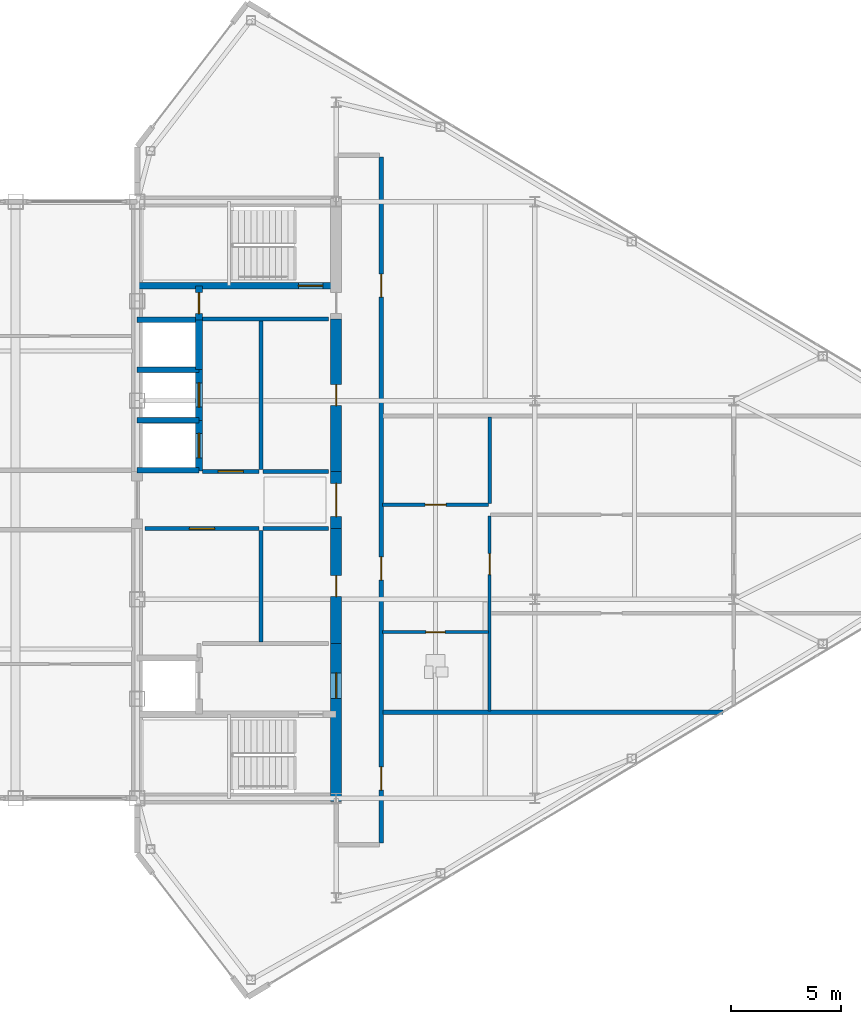
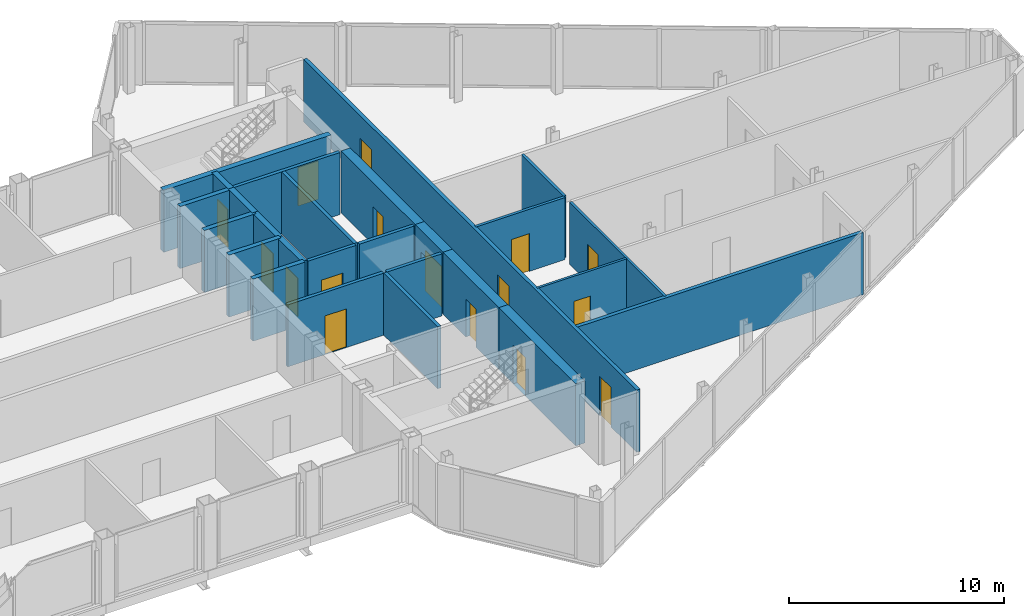
# One storey, part 24 of 28: 26 walls, 16 doors, 16 openings.
"""IFC4 building model written with IfcOpenShell, lengths in metres."""

from ifc_helpers import new_model, si_unit, direction, frame, frame_2d, origin, place, context, subcontext, project, spatial, rectangle, extrude, source, transform, mapped, material, layer, layer_set, type_object, type_shapes, element, fill, save


model = new_model("IFC4")

# Units and contexts
model_context = context("Model", 3, precision=1e-05, world=origin(), true_north=direction((0.0, 1.0)))
body_context = subcontext(model_context, "Body", "Model", "MODEL_VIEW")
ifc_project = project(units=[si_unit("LENGTHUNIT", "METRE"), si_unit("AREAUNIT", "SQUARE_METRE"), si_unit("VOLUMEUNIT", "CUBIC_METRE"), si_unit("PLANEANGLEUNIT", "RADIAN"), si_unit("MASSUNIT", "GRAM", prefix="KILO")], contexts=[model_context])

# Site, building, storey
site_placement = place(None, origin())
site = spatial("IfcSite", under=ifc_project, at=site_placement, CompositionType="ELEMENT")
building_placement = place(site_placement, origin())
building = spatial("IfcBuilding", under=site, at=building_placement, Name="Seokmaru Belvedere", CompositionType="ELEMENT")
storey_placement = place(building_placement, frame((0.0, 0.0, 261.89990234375)))
storey = spatial("IfcBuildingStorey", under=building, at=storey_placement, Name="L69", CompositionType="ELEMENT", Elevation=261.89990234375)

# Wall, opening, door
ifc_material_1 = material(Name="Fire-Rated Gypsum Shaftwall")
ifc_layer_1 = layer(ifc_material_1, 0.14990234375)
ifc_layer_set_1 = layer_set([ifc_layer_1], Name="Fire-Rated Gypsum Shaftwall")
wall_type_1 = type_object("IfcWallType", Name="Apartment Fire-Acoustic Room Partition 150", PredefinedType="PARTITIONING", material=ifc_layer_set_1)
wall_1_placement = place(storey_placement, frame((38.60009765625, -0.219970703125, 0.0), z_axis=(0.0, 0.0, 1.0), x_axis=(1.0, 0.0, 0.0)))
wall_1 = element("IfcWall", 1, at=wall_1_placement, inside=storey, type_object=wall_type_1, Name="L69 Interior Partition 012", PredefinedType="PARTITIONING", context=body_context, shape_type="SweptSolid", body=[
    extrude(rectangle(XDim=4.7998046875, YDim=0.14990234375, at=frame_2d((2.39990234375, 0.0))), origin(), (0.0, 0.0, 1.0), 3.530029296875),
])
opening_1_placement = place(wall_1_placement, frame((1.925048828125, 0.0, 0.0)))
opening_1 = element("IfcOpeningElement", 2, at=opening_1_placement, cuts=wall_1, Name="Opening D05", PredefinedType="OPENING", context=body_context, shape_type="SweptSolid", body=[
    extrude(rectangle(XDim=0.949951171875, YDim=2.14990234375, at=frame_2d((0.47509765625, 1.074951171875))), frame((0.0, 0.0849609375, 0.0), z_axis=(0.0, -1.0, 0.0), x_axis=(1.0, 0.0, 0.0)), (0.0, 0.0, 1.0), 0.169921875),
])
ifc_material_2 = material(Name="Engineered White Oak Timber", Category="wood")
door_type_1 = type_object("IfcDoorType", Name="Apartment Interior Fire-Rated Oak Door 950x2150", OperationType="NOTDEFINED", PredefinedType="DOOR", material=ifc_material_2)
shared_shape_1 = source(origin(), body_context, "Body", "SweptSolid", [
    extrude(rectangle(XDim=0.949951171875, YDim=2.14990234375, at=frame_2d((0.47509765625, 1.074951171875))), frame((0.0, 0.02490234375, 0.0), z_axis=(0.0, -1.0, 0.0), x_axis=(1.0, 0.0, 0.0)), (0.0, 0.0, 1.0), 0.050048828125),
])
type_shapes(door_type_1, [shared_shape_1])
door_1_placement = place(opening_1_placement, origin())
door_1 = element("IfcDoor", 3, at=door_1_placement, inside=storey, type_object=door_type_1, Name="L69 Interior Door 006", OperationType="SINGLE_SWING_RIGHT", OverallHeight=2.14990234375, OverallWidth=0.949951171875, PredefinedType="DOOR", context=body_context, shape_type="MappedRepresentation", body=[
    mapped(shared_shape_1, transform((0.0, 0.0, 0.0), scale=1.0)),
])
fill(opening_1, door_1)

# Walls
wall_2_placement = place(storey_placement, frame((43.449951171875, -0.16796875, 0.0), z_axis=(0.0, 0.0, 1.0), x_axis=(0.0, 1.0, 0.0)))
element("IfcWall", 4, at=wall_2_placement, inside=storey, type_object=wall_type_1, Name="L69 Interior Partition 043", PredefinedType="PARTITIONING", context=body_context, shape_type="SweptSolid", body=[
    extrude(rectangle(XDim=3.91796875, YDim=0.14990234375, at=frame_2d((1.958984375, 0.0))), origin(), (0.0, 0.0, 1.0), 3.530029296875),
])
ifc_layer_2 = layer(ifc_material_1, 0.179931640625)
ifc_layer_set_2 = layer_set([ifc_layer_2], Name="Fire-Rated Gypsum Shaftwall")
wall_type_2 = type_object("IfcWallType", Name="Core Service Fire Partition 180", PredefinedType="PARTITIONING", material=ifc_layer_set_2)
wall_3_placement = place(storey_placement, frame((30.449951171875, 8.199951171875, 0.0), z_axis=(0.0, 0.0, 1.0), x_axis=(1.0, 0.0, 0.0)))
element("IfcWall", 5, at=wall_3_placement, inside=storey, type_object=wall_type_2, Name="L69 East Smokeproof Vestibule Partition", PredefinedType="PARTITIONING", context=body_context, shape_type="SweptSolid", body=[
    extrude(rectangle(XDim=5.699951171875, YDim=0.179931640625, at=frame_2d((2.85009765625, 0.0))), origin(), (0.0, 0.0, 1.0), 3.530029296875),
])
wall_4_placement = place(storey_placement, frame((33.10009765625, -6.419921875, 0.0), z_axis=(0.0, 0.0, 1.0), x_axis=(0.0, 1.0, 0.0)))
element("IfcWall", 6, at=wall_4_placement, inside=storey, type_object=wall_type_2, Name="L69 East South Core Service Back Wall", PredefinedType="PARTITIONING", context=body_context, shape_type="SweptSolid", body=[
    extrude(rectangle(XDim=5.0400390625, YDim=0.179931640625, at=frame_2d((2.52001953125, 0.0))), origin(), (0.0, 0.0, 1.0), 3.530029296875),
])
wall_5_placement = place(storey_placement, frame((33.10009765625, 1.3798828125, 0.0), z_axis=(0.0, 0.0, 1.0), x_axis=(0.0, 1.0, 0.0)))
element("IfcWall", 7, at=wall_5_placement, inside=storey, type_object=wall_type_2, Name="L69 East North Core Service Back Wall", PredefinedType="PARTITIONING", context=body_context, shape_type="SweptSolid", body=[
    extrude(rectangle(XDim=6.740234375, YDim=0.179931640625, at=frame_2d((3.3701171875, 0.0))), origin(), (0.0, 0.0, 1.0), 3.530029296875),
])

# Wall, opening, door
wall_6_placement = place(storey_placement, frame((27.85009765625, -1.300048828125, 0.0), z_axis=(0.0, 0.0, 1.0), x_axis=(1.0, 0.0, 0.0)))
wall_6 = element("IfcWall", 8, at=wall_6_placement, inside=storey, type_object=wall_type_2, Name="L69 East South Lift Lobby Foyer Wall", PredefinedType="PARTITIONING", context=body_context, shape_type="SweptSolid", body=[
    extrude(rectangle(XDim=5.169921875, YDim=0.179931640625, at=frame_2d((2.5849609375, 0.0))), origin(), (0.0, 0.0, 1.0), 3.530029296875),
])
opening_2_placement = place(wall_6_placement, frame((2.010009765625, 0.0, 0.0)))
opening_2 = element("IfcOpeningElement", 9, at=opening_2_placement, cuts=wall_6, Name="Opening D02", PredefinedType="OPENING", context=body_context, shape_type="SweptSolid", body=[
    extrude(rectangle(XDim=1.14990234375, YDim=2.199951171875, at=frame_2d((0.574951171875, 1.10009765625))), frame((0.0, 0.10009765625, 0.0), z_axis=(0.0, -1.0, 0.0), x_axis=(1.0, 0.0, 0.0)), (0.0, 0.0, 1.0), 0.199951171875),
])
ifc_material_3 = material(Name="Fire-Rated Steel Leaf", Category="steel")
door_type_2 = type_object("IfcDoorType", Name="Lobby and Vestibule Fire Door 1150x2200", OperationType="NOTDEFINED", PredefinedType="DOOR", material=ifc_material_3)
shared_shape_2 = source(origin(), body_context, "Body", "SweptSolid", [
    extrude(rectangle(XDim=1.14990234375, YDim=2.199951171875, at=frame_2d((0.574951171875, 1.10009765625))), frame((0.0, 0.02490234375, 0.0), z_axis=(0.0, -1.0, 0.0), x_axis=(1.0, 0.0, 0.0)), (0.0, 0.0, 1.0), 0.050048828125),
])
type_shapes(door_type_2, [shared_shape_2])
door_2_placement = place(opening_2_placement, origin())
door_2 = element("IfcDoor", 10, at=door_2_placement, inside=storey, type_object=door_type_2, Name="L69 East South Core Foyer Door", OperationType="SINGLE_SWING_RIGHT", OverallHeight=2.199951171875, OverallWidth=1.14990234375, PredefinedType="DOOR", context=body_context, shape_type="MappedRepresentation", body=[
    mapped(shared_shape_2, transform((0.0, 0.0, 0.0), scale=1.0)),
])
fill(opening_2, door_2)

wall_7_placement = place(storey_placement, frame((30.449951171875, 1.300048828125, 0.0), z_axis=(0.0, 0.0, 1.0), x_axis=(1.0, 0.0, 0.0)))
wall_7 = element("IfcWall", 11, at=wall_7_placement, inside=storey, type_object=wall_type_2, Name="L69 East North Lift Lobby Foyer Wall", PredefinedType="PARTITIONING", context=body_context, shape_type="SweptSolid", body=[
    extrude(rectangle(XDim=2.570068359375, YDim=0.179931640625, at=frame_2d((1.28515625, 0.0))), origin(), (0.0, 0.0, 1.0), 3.530029296875),
])
opening_3_placement = place(wall_7_placement, frame((0.7099609375, 0.0, 0.0)))
opening_3 = element("IfcOpeningElement", 12, at=opening_3_placement, cuts=wall_7, Name="Opening D02", PredefinedType="OPENING", context=body_context, shape_type="SweptSolid", body=[
    extrude(rectangle(XDim=1.14990234375, YDim=2.199951171875, at=frame_2d((0.574951171875, 1.10009765625))), frame((0.0, 0.10009765625, 0.0), z_axis=(0.0, -1.0, 0.0), x_axis=(1.0, 0.0, 0.0)), (0.0, 0.0, 1.0), 0.199951171875),
])
door_3_placement = place(opening_3_placement, origin())
door_3 = element("IfcDoor", 13, at=door_3_placement, inside=storey, type_object=door_type_2, Name="L69 East North Lift Lobby Door", OperationType="SINGLE_SWING_LEFT", OverallHeight=2.199951171875, OverallWidth=1.14990234375, PredefinedType="DOOR", context=body_context, shape_type="MappedRepresentation", body=[
    mapped(shared_shape_2, transform((0.0, 0.0, 0.0), scale=1.0)),
])
fill(opening_3, door_3)

# Walls
for number, where, z_axis, x_axis, name in (
    (14, (33.199951171875, -1.300048828125, 0.0), (0.0, 0.0, 1.0), (1.0, 0.0, 0.0), "L69 East Foyer Side Wall S"),
    (15, (33.199951171875, 1.300048828125, 0.0), (0.0, 0.0, 1.0), (1.0, 0.0, 0.0), "L69 East Foyer Side Wall N"),
):
    element("IfcWall", number, at=place(storey_placement, frame(where, z_axis=z_axis, x_axis=x_axis)), inside=storey, type_object=wall_type_2, Name=name, PredefinedType="PARTITIONING", context=body_context, shape_type="SweptSolid", body=[
        extrude(rectangle(XDim=2.949951171875, YDim=0.179931640625, at=frame_2d((1.47509765625, 0.0))), origin(), (0.0, 0.0, 1.0), 3.530029296875),
    ])
ifc_material_4 = material(Name="Concrete C50 (50 MPa)", Category="concrete")
ifc_layer_3 = layer(ifc_material_4, 0.25)
ifc_layer_set_3 = layer_set([ifc_layer_3], Name="Concrete C50 (50 MPa)")
wall_type_3 = type_object("IfcWallType", Name="Hoistway Transverse Concrete Divider Wall 250", PredefinedType="SHEAR", material=ifc_layer_set_3)
for number, where, z_axis, x_axis, name in (
    (16, (27.5, 1.35009765625, 0.0), (0.0, 0.0, 1.0), (1.0, 0.0, 0.0), "L69 East Hoistway Divider Core Wall 2"),
    (17, (27.5, 3.60009765625, 0.0), (0.0, 0.0, 1.0), (1.0, 0.0, 0.0), "L69 East Hoistway Divider Core Wall 3"),
    (18, (27.5, 5.89990234375, 0.0), (0.0, 0.0, 1.0), (1.0, 0.0, 0.0), "L69 East Hoistway Divider Core Wall 4"),
    (19, (27.5, 8.14990234375, 0.0), (0.0, 0.0, 1.0), (1.0, 0.0, 0.0), "L69 East Hoistway Divider Core Wall 5"),
):
    element("IfcWall", number, at=place(storey_placement, frame(where, z_axis=z_axis, x_axis=x_axis)), inside=storey, type_object=wall_type_3, Name=name, PredefinedType="SHEAR", context=body_context, shape_type="SweptSolid", body=[
        extrude(rectangle(XDim=2.800048828125, YDim=0.25, at=frame_2d((1.39990234375, 0.0))), origin(), (0.0, 0.0, 1.0), 3.530029296875),
    ])
ifc_layer_4 = layer(ifc_material_1, 0.199951171875)
ifc_layer_set_4 = layer_set([ifc_layer_4], Name="Fire-Rated Gypsum Shaftwall")
wall_type_4 = type_object("IfcWallType", Name="Inter-Tenancy Fire Compartment Partition 200", PredefinedType="PARTITIONING", material=ifc_layer_set_4)
wall_8_placement = place(storey_placement, frame((38.6298828125, -9.60009765625, 0.0), z_axis=(0.0, 0.0, 1.0), x_axis=(1.0, 0.0, 0.0)))
element("IfcWall", 20, at=wall_8_placement, inside=storey, type_object=wall_type_4, Name="L69 Interior Partition 003", PredefinedType="PARTITIONING", context=body_context, shape_type="SweptSolid", body=[
    extrude(rectangle(XDim=15.380126953125, YDim=0.199951171875, at=frame_2d((7.68994140625, 0.0))), origin(), (0.0, 0.0, 1.0), 3.530029296875),
])

# Wall, openings, doors
wall_9_placement = place(storey_placement, frame((38.550048828125, -15.514892578125, 0.0), z_axis=(0.0, 0.0, 1.0), x_axis=(0.0, 1.0, 0.0)))
wall_9 = element("IfcWall", 21, at=wall_9_placement, inside=storey, type_object=wall_type_4, Name="L69 Interior Partition 041", PredefinedType="PARTITIONING", context=body_context, shape_type="SweptSolid", body=[
    extrude(rectangle(XDim=31.02978515625, YDim=0.199951171875, at=frame_2d((15.514892578125, 0.0))), origin(), (0.0, 0.0, 1.0), 3.530029296875),
])
opening_4_placement = place(wall_9_placement, frame((2.389892578125, 0.0, 0.0)))
opening_4 = element("IfcOpeningElement", 22, at=opening_4_placement, cuts=wall_9, Name="Opening D03", PredefinedType="OPENING", context=body_context, shape_type="SweptSolid", body=[
    extrude(rectangle(XDim=1.050048828125, YDim=2.25, at=frame_2d((0.52490234375, 1.125))), frame((0.0, 0.10986328125, 0.0), z_axis=(0.0, -1.0, 0.0), x_axis=(1.0, 0.0, 0.0)), (0.0, 0.0, 1.0), 0.219970703125),
])
opening_5_placement = place(wall_9_placement, frame((11.888916015625, 0.0, 0.0)))
opening_5 = element("IfcOpeningElement", 23, at=opening_5_placement, cuts=wall_9, Name="Opening D03", PredefinedType="OPENING", context=body_context, shape_type="SweptSolid", body=[
    extrude(rectangle(XDim=1.050048828125, YDim=2.25, at=frame_2d((0.52490234375, 1.125))), frame((0.0, 0.10986328125, 0.0), z_axis=(0.0, -1.0, 0.0), x_axis=(1.0, 0.0, 0.0)), (0.0, 0.0, 1.0), 0.219970703125),
])
opening_6_placement = place(wall_9_placement, frame((24.68994140625, 0.0, 0.0)))
opening_6 = element("IfcOpeningElement", 24, at=opening_6_placement, cuts=wall_9, Name="Opening D03", PredefinedType="OPENING", context=body_context, shape_type="SweptSolid", body=[
    extrude(rectangle(XDim=1.050048828125, YDim=2.25, at=frame_2d((0.52490234375, 1.125))), frame((0.0, 0.10986328125, 0.0), z_axis=(0.0, -1.0, 0.0), x_axis=(1.0, 0.0, 0.0)), (0.0, 0.0, 1.0), 0.219970703125),
])
door_type_3 = type_object("IfcDoorType", Name="Apartment Entrance Fire Door 1050x2250", OperationType="NOTDEFINED", PredefinedType="DOOR", material=ifc_material_3)
shared_shape_3 = source(origin(), body_context, "Body", "SweptSolid", [
    extrude(rectangle(XDim=1.050048828125, YDim=2.25, at=frame_2d((0.52490234375, 1.125))), frame((0.0, 0.02490234375, 0.0), z_axis=(0.0, -1.0, 0.0), x_axis=(1.0, 0.0, 0.0)), (0.0, 0.0, 1.0), 0.050048828125),
])
type_shapes(door_type_3, [shared_shape_3])
door_4_placement = place(opening_4_placement, origin())
door_4 = element("IfcDoor", 25, at=door_4_placement, inside=storey, type_object=door_type_3, Name="L69 Interior Door 003", OperationType="SINGLE_SWING_LEFT", OverallHeight=2.25, OverallWidth=1.050048828125, PredefinedType="DOOR", context=body_context, shape_type="MappedRepresentation", body=[
    mapped(shared_shape_3, transform((0.0, 0.0, 0.0), scale=1.0)),
])
fill(opening_4, door_4)
door_5_placement = place(opening_5_placement, origin())
door_5 = element("IfcDoor", 26, at=door_5_placement, inside=storey, type_object=door_type_3, Name="L69 Interior Door 004", OperationType="SINGLE_SWING_RIGHT", OverallHeight=2.25, OverallWidth=1.050048828125, PredefinedType="DOOR", context=body_context, shape_type="MappedRepresentation", body=[
    mapped(shared_shape_3, transform((0.0, 0.0, 0.0), scale=1.0)),
])
fill(opening_5, door_5)
door_6_placement = place(opening_6_placement, origin())
door_6 = element("IfcDoor", 27, at=door_6_placement, inside=storey, type_object=door_type_3, Name="L69 Interior Door 013", OperationType="SINGLE_SWING_LEFT", OverallHeight=2.25, OverallWidth=1.050048828125, PredefinedType="DOOR", context=body_context, shape_type="MappedRepresentation", body=[
    mapped(shared_shape_3, transform((0.0, 0.0, 0.0), scale=1.0)),
])
fill(opening_6, door_6)

# Wall, opening, door
ifc_layer_5 = layer(ifc_material_4, 0.300048828125)
ifc_layer_set_5 = layer_set([ifc_layer_5], Name="Concrete C50 (50 MPa)")
wall_type_5 = type_object("IfcWallType", Name="Internal Core Stair and Hoistway Wall 300", PredefinedType="SHEAR", material=ifc_layer_set_5)
wall_10_placement = place(storey_placement, frame((27.5, 9.699951171875, 0.0), z_axis=(0.0, 0.0, 1.0), x_axis=(1.0, 0.0, 0.0)))
wall_10 = element("IfcWall", 28, at=wall_10_placement, inside=storey, type_object=wall_type_5, Name="L69 East Stair ST-2 Enclosure Wall", PredefinedType="SHEAR", context=body_context, shape_type="SweptSolid", body=[
    extrude(rectangle(XDim=9.0, YDim=0.300048828125, at=frame_2d((4.5, 0.0))), origin(), (0.0, 0.0, 1.0), 3.530029296875),
])
opening_7_placement = place(wall_10_placement, frame((7.300048828125, 0.0, 0.0)))
opening_7 = element("IfcOpeningElement", 29, at=opening_7_placement, cuts=wall_10, Name="Opening D01", PredefinedType="OPENING", context=body_context, shape_type="SweptSolid", body=[
    extrude(rectangle(XDim=1.10009765625, YDim=2.199951171875, at=frame_2d((0.550048828125, 1.10009765625))), frame((0.0, 0.16015625, 0.0), z_axis=(0.0, -1.0, 0.0), x_axis=(1.0, 0.0, 0.0)), (0.0, 0.0, 1.0), 0.320068359375),
])
door_type_4 = type_object("IfcDoorType", Name="Special Escape Stair Smokeproof Fire Door 1100x2200", OperationType="NOTDEFINED", PredefinedType="DOOR", material=ifc_material_3)
shared_shape_4 = source(origin(), body_context, "Body", "SweptSolid", [
    extrude(rectangle(XDim=1.10009765625, YDim=2.199951171875, at=frame_2d((0.550048828125, 1.10009765625))), frame((0.0, 0.02490234375, 0.0), z_axis=(0.0, -1.0, 0.0), x_axis=(1.0, 0.0, 0.0)), (0.0, 0.0, 1.0), 0.050048828125),
])
type_shapes(door_type_4, [shared_shape_4])
door_7_placement = place(opening_7_placement, origin())
door_7 = element("IfcDoor", 30, at=door_7_placement, inside=storey, type_object=door_type_4, Name="L69 East Special Escape Stair ST-2 Door", OperationType="SINGLE_SWING_LEFT", OverallHeight=2.199951171875, OverallWidth=1.10009765625, PredefinedType="DOOR", context=body_context, shape_type="MappedRepresentation", body=[
    mapped(shared_shape_4, transform((0.0, 0.0, 0.0), scale=1.0)),
])
fill(opening_7, door_7)

wall_11_placement = place(storey_placement, frame((30.300048828125, 1.320068359375, 0.0), z_axis=(0.0, 0.0, 1.0), x_axis=(0.0, 1.0, 0.0)))
wall_11 = element("IfcWall", 31, at=wall_11_placement, inside=storey, type_object=wall_type_5, Name="L69 East North Hoistway Wall PH1", PredefinedType="SHEAR", context=body_context, shape_type="SweptSolid", body=[
    extrude(rectangle(XDim=2.280029296875, YDim=0.300048828125, at=frame_2d((1.14013671875, 0.0))), origin(), (0.0, 0.0, 1.0), 3.530029296875),
])
opening_8_placement = place(wall_11_placement, frame((0.590087890625, 0.0, 0.0)))
opening_8 = element("IfcOpeningElement", 32, at=opening_8_placement, cuts=wall_11, Name="Opening LD1", PredefinedType="OPENING", context=body_context, shape_type="SweptSolid", body=[
    extrude(rectangle(XDim=1.10009765625, YDim=2.199951171875, at=frame_2d((0.550048828125, 1.10009765625))), frame((0.0, 0.16015625, 0.0), z_axis=(0.0, -1.0, 0.0), x_axis=(1.0, 0.0, 0.0)), (0.0, 0.0, 1.0), 0.320068359375),
])
ifc_material_5 = material(Name="Stainless Steel 316", Category="steel")
door_type_5 = type_object("IfcDoorType", Name="Passenger Lift Sliding Landing Door 1100x2200", OperationType="DOUBLE_DOOR_SLIDING", PredefinedType="DOOR", material=ifc_material_5)
shared_shape_5 = source(origin(), body_context, "Body", "SweptSolid", [
    extrude(rectangle(XDim=1.10009765625, YDim=2.199951171875, at=frame_2d((0.550048828125, 1.10009765625))), frame((0.0, 0.02490234375, 0.0), z_axis=(0.0, -1.0, 0.0), x_axis=(1.0, 0.0, 0.0)), (0.0, 0.0, 1.0), 0.050048828125),
])
type_shapes(door_type_5, [shared_shape_5])
door_8_placement = place(opening_8_placement, origin())
door_8 = element("IfcDoor", 33, at=door_8_placement, inside=storey, type_object=door_type_5, Name="L69 East High-Rise Lift PH-1 Landing Door", OperationType="DOUBLE_DOOR_SLIDING", OverallHeight=2.199951171875, OverallWidth=1.10009765625, PredefinedType="DOOR", context=body_context, shape_type="MappedRepresentation", body=[
    mapped(shared_shape_5, transform((0.0, 0.0, 0.0), scale=1.0)),
])
fill(opening_8, door_8)

wall_12_placement = place(storey_placement, frame((30.300048828125, 3.60009765625, 0.0), z_axis=(0.0, 0.0, 1.0), x_axis=(0.0, 1.0, 0.0)))
wall_12 = element("IfcWall", 34, at=wall_12_placement, inside=storey, type_object=wall_type_5, Name="L69 East North Hoistway Wall PH2", PredefinedType="SHEAR", context=body_context, shape_type="SweptSolid", body=[
    extrude(rectangle(XDim=2.2998046875, YDim=0.300048828125, at=frame_2d((1.14990234375, 0.0))), origin(), (0.0, 0.0, 1.0), 3.530029296875),
])
opening_9_placement = place(wall_12_placement, frame((0.60009765625, 0.0, 0.0)))
opening_9 = element("IfcOpeningElement", 35, at=opening_9_placement, cuts=wall_12, Name="Opening LD1", PredefinedType="OPENING", context=body_context, shape_type="SweptSolid", body=[
    extrude(rectangle(XDim=1.10009765625, YDim=2.199951171875, at=frame_2d((0.550048828125, 1.10009765625))), frame((0.0, 0.16015625, 0.0), z_axis=(0.0, -1.0, 0.0), x_axis=(1.0, 0.0, 0.0)), (0.0, 0.0, 1.0), 0.320068359375),
])
door_9_placement = place(opening_9_placement, origin())
door_9 = element("IfcDoor", 36, at=door_9_placement, inside=storey, type_object=door_type_5, Name="L69 East High-Rise Lift PH-2 Landing Door", OperationType="DOUBLE_DOOR_SLIDING", OverallHeight=2.199951171875, OverallWidth=1.10009765625, PredefinedType="DOOR", context=body_context, shape_type="MappedRepresentation", body=[
    mapped(shared_shape_5, transform((0.0, 0.0, 0.0), scale=1.0)),
])
fill(opening_9, door_9)

# Wall
wall_13_placement = place(storey_placement, frame((30.300048828125, 5.89990234375, 0.0), z_axis=(0.0, 0.0, 1.0), x_axis=(0.0, 1.0, 0.0)))
element("IfcWall", 37, at=wall_13_placement, inside=storey, type_object=wall_type_5, Name="L69 East North Hoistway Wall OBS", PredefinedType="SHEAR", context=body_context, shape_type="SweptSolid", body=[
    extrude(rectangle(XDim=2.25, YDim=0.300048828125, at=frame_2d((1.125, 0.0))), origin(), (0.0, 0.0, 1.0), 3.530029296875),
])

# Wall, opening, door
wall_14_placement = place(storey_placement, frame((30.300048828125, 8.14990234375, 0.0), z_axis=(0.0, 0.0, 1.0), x_axis=(0.0, 1.0, 0.0)))
wall_14 = element("IfcWall", 38, at=wall_14_placement, inside=storey, type_object=wall_type_5, Name="L69 East Electrical Riser Front Wall", PredefinedType="SHEAR", context=body_context, shape_type="SweptSolid", body=[
    extrude(rectangle(XDim=1.530029296875, YDim=0.300048828125, at=frame_2d((0.76513671875, 0.0))), origin(), (0.0, 0.0, 1.0), 3.530029296875),
])
opening_10_placement = place(wall_14_placement, frame((0.284912109375, 0.0, 0.0)))
opening_10 = element("IfcOpeningElement", 39, at=opening_10_placement, cuts=wall_14, Name="Opening D04", PredefinedType="OPENING", context=body_context, shape_type="SweptSolid", body=[
    extrude(rectangle(XDim=0.949951171875, YDim=2.14990234375, at=frame_2d((0.47509765625, 1.074951171875))), frame((0.0, 0.16015625, 0.0), z_axis=(0.0, -1.0, 0.0), x_axis=(1.0, 0.0, 0.0)), (0.0, 0.0, 1.0), 0.320068359375),
])
door_type_6 = type_object("IfcDoorType", Name="Core Service Room Fire Door 950x2150", OperationType="NOTDEFINED", PredefinedType="DOOR", material=ifc_material_3)
shared_shape_6 = source(origin(), body_context, "Body", "SweptSolid", [
    extrude(rectangle(XDim=0.949951171875, YDim=2.14990234375, at=frame_2d((0.47509765625, 1.074951171875))), frame((0.0, 0.02490234375, 0.0), z_axis=(0.0, -1.0, 0.0), x_axis=(1.0, 0.0, 0.0)), (0.0, 0.0, 1.0), 0.050048828125),
])
type_shapes(door_type_6, [shared_shape_6])
door_10_placement = place(opening_10_placement, origin())
door_10 = element("IfcDoor", 40, at=door_10_placement, inside=storey, type_object=door_type_6, Name="L69 East Electrical Riser Access Door", OperationType="SINGLE_SWING_RIGHT", OverallHeight=2.14990234375, OverallWidth=0.949951171875, PredefinedType="DOOR", context=body_context, shape_type="MappedRepresentation", body=[
    mapped(shared_shape_6, transform((0.0, 0.0, 0.0), scale=1.0)),
])
fill(opening_10, door_10)

ifc_layer_6 = layer(ifc_material_1, 0.1298828125)
ifc_layer_set_6 = layer_set([ifc_layer_6], Name="Fire-Rated Gypsum Shaftwall")
wall_type_6 = type_object("IfcWallType", Name="Moisture-Resistant Fire-Rated Bathroom Partition 130", PredefinedType="PARTITIONING", material=ifc_layer_set_6)
wall_15_placement = place(storey_placement, frame((38.60009765625, -5.97998046875, 0.0), z_axis=(0.0, 0.0, 1.0), x_axis=(1.0, 0.0, 0.0)))
wall_15 = element("IfcWall", 41, at=wall_15_placement, inside=storey, type_object=wall_type_6, Name="L69 Interior Partition 007", PredefinedType="PARTITIONING", context=body_context, shape_type="SweptSolid", body=[
    extrude(rectangle(XDim=4.7998046875, YDim=0.1298828125, at=frame_2d((2.39990234375, 0.0))), origin(), (0.0, 0.0, 1.0), 3.530029296875),
])
opening_11_placement = place(wall_15_placement, frame((1.9599609375, 0.0, 0.0)))
opening_11 = element("IfcOpeningElement", 42, at=opening_11_placement, cuts=wall_15, Name="Opening D06", PredefinedType="OPENING", context=body_context, shape_type="SweptSolid", body=[
    extrude(rectangle(XDim=0.8798828125, YDim=2.10009765625, at=frame_2d((0.43994140625, 1.050048828125))), frame((0.0, 0.074951171875, 0.0), z_axis=(0.0, -1.0, 0.0), x_axis=(1.0, 0.0, 0.0)), (0.0, 0.0, 1.0), 0.14990234375),
])
door_type_7 = type_object("IfcDoorType", Name="Bathroom and Restroom Fire-Rated Door 880x2100", OperationType="NOTDEFINED", PredefinedType="DOOR", material=ifc_material_2)
shared_shape_7 = source(origin(), body_context, "Body", "SweptSolid", [
    extrude(rectangle(XDim=0.8798828125, YDim=2.10009765625, at=frame_2d((0.43994140625, 1.050048828125))), frame((0.0, 0.02490234375, 0.0), z_axis=(0.0, -1.0, 0.0), x_axis=(1.0, 0.0, 0.0)), (0.0, 0.0, 1.0), 0.050048828125),
])
type_shapes(door_type_7, [shared_shape_7])
door_11_placement = place(opening_11_placement, origin())
door_11 = element("IfcDoor", 43, at=door_11_placement, inside=storey, type_object=door_type_7, Name="L69 Interior Door 005", OperationType="SINGLE_SWING_RIGHT", OverallHeight=2.10009765625, OverallWidth=0.8798828125, PredefinedType="DOOR", context=body_context, shape_type="MappedRepresentation", body=[
    mapped(shared_shape_7, transform((0.0, 0.0, 0.0), scale=1.0)),
])
fill(opening_11, door_11)

wall_16_placement = place(storey_placement, frame((43.449951171875, -9.550048828125, 0.0), z_axis=(0.0, 0.0, 1.0), x_axis=(0.0, 1.0, 0.0)))
wall_16 = element("IfcWall", 44, at=wall_16_placement, inside=storey, type_object=wall_type_6, Name="L69 Interior Partition 042", PredefinedType="PARTITIONING", context=body_context, shape_type="SweptSolid", body=[
    extrude(rectangle(XDim=8.8330078125, YDim=0.1298828125, at=frame_2d((4.41650390625, 0.0))), origin(), (0.0, 0.0, 1.0), 3.530029296875),
])
opening_12_placement = place(wall_16_placement, frame((6.175048828125, 0.0, 0.0)))
opening_12 = element("IfcOpeningElement", 45, at=opening_12_placement, cuts=wall_16, Name="Opening D05", PredefinedType="OPENING", context=body_context, shape_type="SweptSolid", body=[
    extrude(rectangle(XDim=0.949951171875, YDim=2.14990234375, at=frame_2d((0.47509765625, 1.074951171875))), frame((0.0, 0.074951171875, 0.0), z_axis=(0.0, -1.0, 0.0), x_axis=(1.0, 0.0, 0.0)), (0.0, 0.0, 1.0), 0.14990234375),
])
door_12_placement = place(opening_12_placement, origin())
door_12 = element("IfcDoor", 46, at=door_12_placement, inside=storey, type_object=door_type_1, Name="L69 Interior Door 007", OperationType="SINGLE_SWING_LEFT", OverallHeight=2.14990234375, OverallWidth=0.949951171875, PredefinedType="DOOR", context=body_context, shape_type="MappedRepresentation", body=[
    mapped(shared_shape_1, transform((0.0, 0.0, 0.0), scale=1.0)),
])
fill(opening_12, door_12)

ifc_layer_7 = layer(ifc_material_4, 0.5)
ifc_layer_set_7 = layer_set([ifc_layer_7], Name="Concrete C50 (50 MPa)")
wall_type_7 = type_object("IfcWallType", Name="Upper Tower Reinforced Concrete Core Wall 500", PredefinedType="SHEAR", material=ifc_layer_set_7)
wall_17_placement = place(storey_placement, frame((36.5, -13.64990234375, 0.0), z_axis=(0.0, 0.0, 1.0), x_axis=(0.0, 1.0, 0.0)))
wall_17 = element("IfcWall", 47, at=wall_17_placement, inside=storey, type_object=wall_type_7, Name="L69 East West Core Wall FF", PredefinedType="SHEAR", context=body_context, shape_type="SweptSolid", body=[
    extrude(rectangle(XDim=7.14990234375, YDim=0.5, at=frame_2d((3.574951171875, 0.0))), origin(), (0.0, 0.0, 1.0), 3.530029296875),
])
opening_13_placement = place(wall_17_placement, frame((4.675048828125, 0.0, 0.0)))
opening_13 = element("IfcOpeningElement", 48, at=opening_13_placement, cuts=wall_17, Name="Opening D02", PredefinedType="OPENING", context=body_context, shape_type="SweptSolid", body=[
    extrude(rectangle(XDim=1.14990234375, YDim=2.199951171875, at=frame_2d((0.574951171875, 1.10009765625))), frame((0.0, 0.260009765625, 0.0), z_axis=(0.0, -1.0, 0.0), x_axis=(1.0, 0.0, 0.0)), (0.0, 0.0, 1.0), 0.52001953125),
])
door_13_placement = place(opening_13_placement, origin())
door_13 = element("IfcDoor", 49, at=door_13_placement, inside=storey, type_object=door_type_2, Name="L69 East Firefighting Lobby Door", OperationType="SINGLE_SWING_RIGHT", OverallHeight=2.199951171875, OverallWidth=1.14990234375, PredefinedType="DOOR", context=body_context, shape_type="MappedRepresentation", body=[
    mapped(shared_shape_2, transform((0.0, 0.0, 0.0), scale=1.0)),
])
fill(opening_13, door_13)

wall_18_placement = place(storey_placement, frame((36.5, -1.300048828125, 0.0), z_axis=(0.0, 0.0, 1.0), x_axis=(0.0, 1.0, 0.0)))
wall_18 = element("IfcWall", 50, at=wall_18_placement, inside=storey, type_object=wall_type_7, Name="L69 East West Core Wall FOY", PredefinedType="SHEAR", context=body_context, shape_type="SweptSolid", body=[
    extrude(rectangle(XDim=2.60009765625, YDim=0.5, at=frame_2d((1.300048828125, 0.0))), origin(), (0.0, 0.0, 1.0), 3.530029296875),
])
opening_14_placement = place(wall_18_placement, frame((0.550048828125, 0.0, 0.0)))
opening_14 = element("IfcOpeningElement", 51, at=opening_14_placement, cuts=wall_18, Name="Opening D08", PredefinedType="OPENING", context=body_context, shape_type="SweptSolid", body=[
    extrude(rectangle(XDim=1.5, YDim=2.300048828125, at=frame_2d((0.75, 1.14990234375))), frame((0.0, 0.260009765625, 0.0), z_axis=(0.0, -1.0, 0.0), x_axis=(1.0, 0.0, 0.0)), (0.0, 0.0, 1.0), 0.52001953125),
])
door_type_8 = type_object("IfcDoorType", Name="Cross-Corridor Compartment Double Fire Door 1500x2300", OperationType="DOUBLE_SWING_LEFT", PredefinedType="DOOR", material=ifc_material_3)
shared_shape_8 = source(origin(), body_context, "Body", "SweptSolid", [
    extrude(rectangle(XDim=1.5, YDim=2.300048828125, at=frame_2d((0.75, 1.14990234375))), frame((0.0, 0.02490234375, 0.0), z_axis=(0.0, -1.0, 0.0), x_axis=(1.0, 0.0, 0.0)), (0.0, 0.0, 1.0), 0.050048828125),
])
type_shapes(door_type_8, [shared_shape_8])
door_14_placement = place(opening_14_placement, origin())
door_14 = element("IfcDoor", 52, at=door_14_placement, inside=storey, type_object=door_type_8, Name="L69 East Core Foyer Compartment Door", OperationType="DOUBLE_SWING_LEFT", OverallHeight=2.300048828125, OverallWidth=1.5, PredefinedType="DOOR", context=body_context, shape_type="MappedRepresentation", body=[
    mapped(shared_shape_8, transform((0.0, 0.0, 0.0), scale=1.0)),
])
fill(opening_14, door_14)

wall_19_placement = place(storey_placement, frame((36.5, -6.5, 0.0), z_axis=(0.0, 0.0, 1.0), x_axis=(0.0, 1.0, 0.0)))
wall_19 = element("IfcWall", 53, at=wall_19_placement, inside=storey, type_object=wall_type_7, Name="L69 East West Core Wall CS1", PredefinedType="SHEAR", context=body_context, shape_type="SweptSolid", body=[
    extrude(rectangle(XDim=5.199951171875, YDim=0.5, at=frame_2d((2.60009765625, 0.0))), origin(), (0.0, 0.0, 1.0), 3.530029296875),
])
opening_15_placement = place(wall_19_placement, frame((2.125, 0.0, 0.0)))
opening_15 = element("IfcOpeningElement", 54, at=opening_15_placement, cuts=wall_19, Name="Opening D04", PredefinedType="OPENING", context=body_context, shape_type="SweptSolid", body=[
    extrude(rectangle(XDim=0.949951171875, YDim=2.14990234375, at=frame_2d((0.47509765625, 1.074951171875))), frame((0.0, 0.260009765625, 0.0), z_axis=(0.0, -1.0, 0.0), x_axis=(1.0, 0.0, 0.0)), (0.0, 0.0, 1.0), 0.52001953125),
])
door_15_placement = place(opening_15_placement, origin())
door_15 = element("IfcDoor", 55, at=door_15_placement, inside=storey, type_object=door_type_6, Name="L69 East Core Service Room Door 1", OperationType="SINGLE_SWING_RIGHT", OverallHeight=2.14990234375, OverallWidth=0.949951171875, PredefinedType="DOOR", context=body_context, shape_type="MappedRepresentation", body=[
    mapped(shared_shape_6, transform((0.0, 0.0, 0.0), scale=1.0)),
])
fill(opening_15, door_15)

wall_20_placement = place(storey_placement, frame((36.5, 1.300048828125, 0.0), z_axis=(0.0, 0.0, 1.0), x_axis=(0.0, 1.0, 0.0)))
wall_20 = element("IfcWall", 56, at=wall_20_placement, inside=storey, type_object=wall_type_7, Name="L69 East West Core Wall CS2", PredefinedType="SHEAR", context=body_context, shape_type="SweptSolid", body=[
    extrude(rectangle(XDim=6.89990234375, YDim=0.5, at=frame_2d((3.449951171875, 0.0))), origin(), (0.0, 0.0, 1.0), 3.530029296875),
])
opening_16_placement = place(wall_20_placement, frame((2.97509765625, 0.0, 0.0)))
opening_16 = element("IfcOpeningElement", 57, at=opening_16_placement, cuts=wall_20, Name="Opening D04", PredefinedType="OPENING", context=body_context, shape_type="SweptSolid", body=[
    extrude(rectangle(XDim=0.949951171875, YDim=2.14990234375, at=frame_2d((0.47509765625, 1.074951171875))), frame((0.0, 0.260009765625, 0.0), z_axis=(0.0, -1.0, 0.0), x_axis=(1.0, 0.0, 0.0)), (0.0, 0.0, 1.0), 0.52001953125),
])
door_16_placement = place(opening_16_placement, origin())
door_16 = element("IfcDoor", 58, at=door_16_placement, inside=storey, type_object=door_type_6, Name="L69 East Core Service Room Door 2", OperationType="SINGLE_SWING_LEFT", OverallHeight=2.14990234375, OverallWidth=0.949951171875, PredefinedType="DOOR", context=body_context, shape_type="MappedRepresentation", body=[
    mapped(shared_shape_6, transform((0.0, 0.0, 0.0), scale=1.0)),
])
fill(opening_16, door_16)

save(model, "model.ifc")
